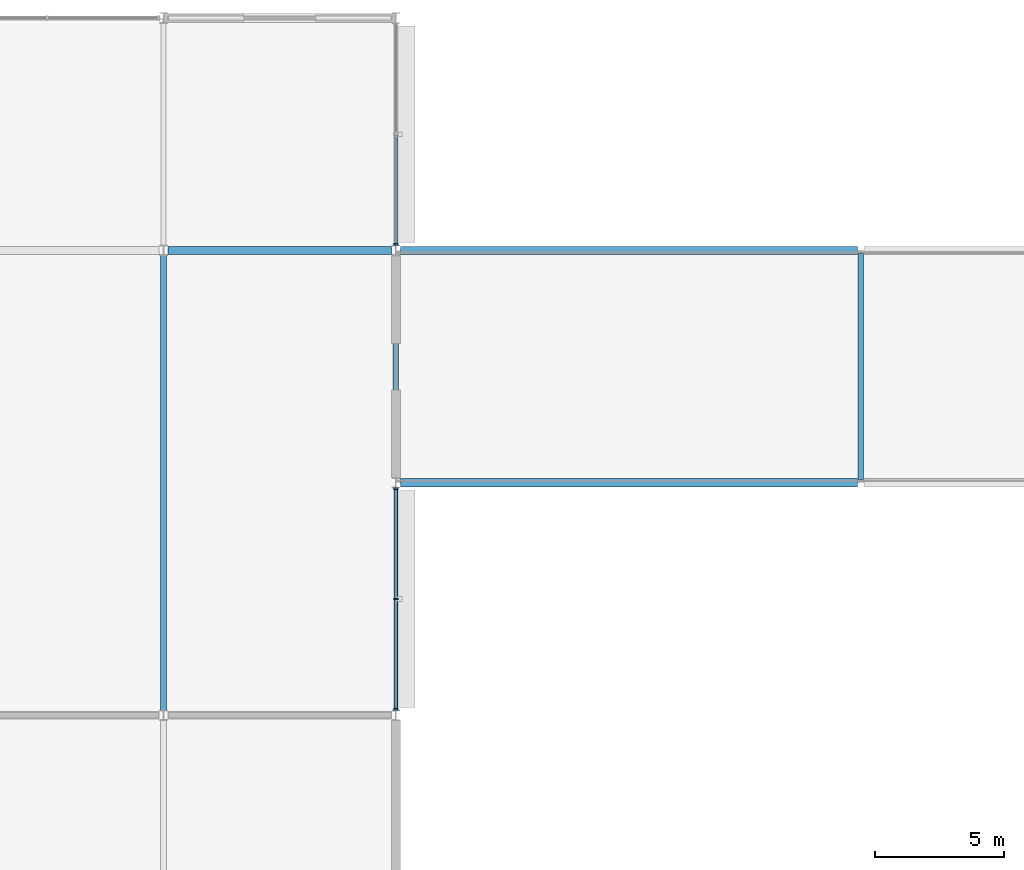
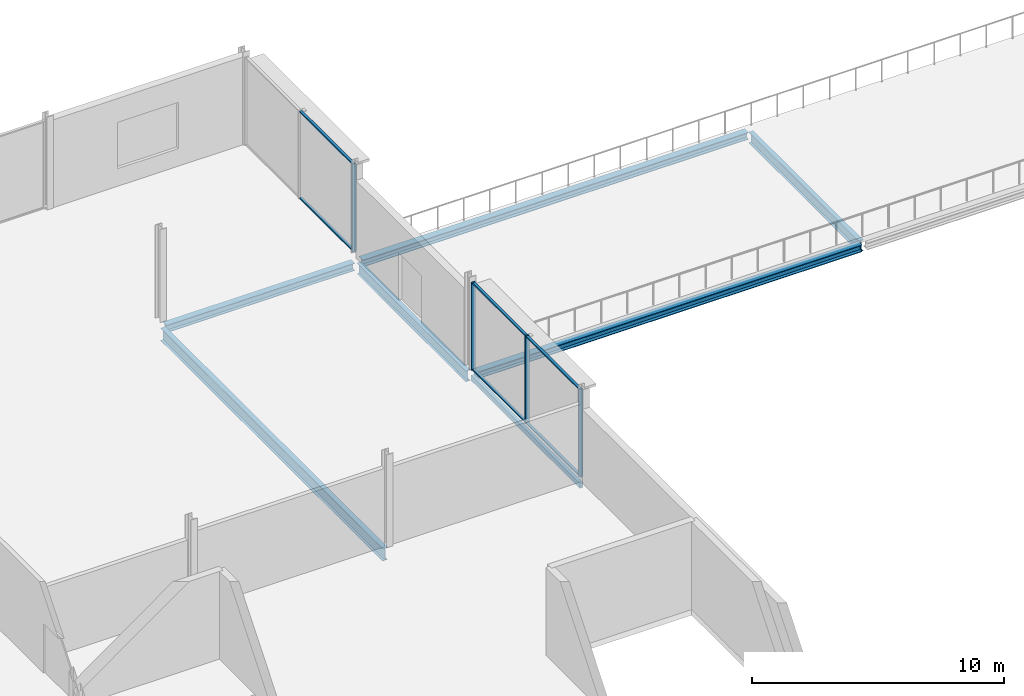
# One storey, part 21 of 73: 10 members, 7 beams, 2 elements without a shape of their own.
"""IFC4 building model written with IfcOpenShell, lengths in metres."""

from ifc_helpers import new_model, si_unit, direction, frame, origin, origin_2d, place, context, subcontext, project, spatial, rectangle, hollow_rectangle, i_section, extrude, material, layer, layer_set, material_profile, profile_set, type_object, element, aggregate, save


model = new_model("IFC4")

# Units and contexts
model_context = context("Model", 3, precision=1e-05, world=origin(), true_north=direction((0.0, 1.0)))
body_context = subcontext(model_context, "Body", "Model", "MODEL_VIEW")
ifc_project = project(units=[si_unit("LENGTHUNIT", "METRE"), si_unit("AREAUNIT", "SQUARE_METRE"), si_unit("VOLUMEUNIT", "CUBIC_METRE"), si_unit("PLANEANGLEUNIT", "RADIAN"), si_unit("MASSUNIT", "GRAM", prefix="KILO")], contexts=[model_context])

# Site, building, storey
site_placement = place(None, origin())
site = spatial("IfcSite", under=ifc_project, at=site_placement, CompositionType="ELEMENT")
building_placement = place(site_placement, origin())
building = spatial("IfcBuilding", under=site, at=building_placement, Name="Kisiwana Market Hall", CompositionType="ELEMENT")
storey_placement = place(building_placement, frame((0.0, 0.0, 33.300048828125)))
storey = spatial("IfcBuildingStorey", under=building, at=storey_placement, Name="L07", CompositionType="ELEMENT", Elevation=33.300048828125)

# Beams
ifc_material_1 = material(Name="Steel S355", Category="steel")
ifc_material_profile_1 = material_profile(ifc_material_1, i_section(OverallWidth=0.300048828125, OverallDepth=0.360107421875, WebThickness=0.012451171875, FlangeThickness=0.0224609375, at=origin_2d()), Name="HEB 360")
ifc_profile_set_1 = profile_set([ifc_material_profile_1], Name="Steel S355")
beam_type_1 = type_object("IfcBeamType", Name="BM-GIRD-HEB360", PredefinedType="BEAM", material=ifc_profile_set_1)
beam_1_placement = place(storey_placement, frame((36.18115234375, 102.0, -0.4599609375), z_axis=(1.0, 0.0, 0.0), x_axis=(0.0, 1.0, 0.0)))
element("IfcBeam", 1, at=beam_1_placement, inside=storey, type_object=beam_type_1, Name="Floor beam B-2010", PredefinedType="BEAM", context=body_context, shape_type="SweptSolid", body=[
    extrude(i_section(OverallWidth=0.300048828125, OverallDepth=0.360107421875, WebThickness=0.012451171875, FlangeThickness=0.0224609375, at=origin_2d()), origin(), (0.0, 0.0, 1.0), 8.6376953125),
])
ifc_material_2 = material(Name="Steel S355", Category="steel")
ifc_material_profile_2 = material_profile(ifc_material_2, i_section(OverallWidth=0.209228515625, OverallDepth=0.533203125, WebThickness=0.010009765625, FlangeThickness=0.015625, at=origin_2d()), Name="UB 533x210x92")
ifc_profile_set_2 = profile_set([ifc_material_profile_2], Name="Steel S355")
beam_type_2 = type_object("IfcBeamType", Name="BM-GIRD-UB533", PredefinedType="BEAM", material=ifc_profile_set_2)
beam_2_placement = place(storey_placement, frame((45.0, 93.177001953125, -0.546630859375), z_axis=(0.0, 1.0, 0.0), x_axis=(-1.0, 0.0, 0.0)))
element("IfcBeam", 2, at=beam_2_placement, inside=storey, type_object=beam_type_2, Name="Primary girder B-1898", PredefinedType="BEAM", context=body_context, shape_type="SweptSolid", body=[
    extrude(i_section(OverallWidth=0.209228515625, OverallDepth=0.533203125, WebThickness=0.010009765625, FlangeThickness=0.015625, at=origin_2d()), origin(), (0.0, 0.0, 1.0), 8.64599609375),
])
beam_3_placement = place(storey_placement, frame((63.0, 93.12109375, -0.524658203125), z_axis=(0.0, 1.0, 0.0), x_axis=(-1.0, 0.0, 0.0)))
element("IfcBeam", 3, at=beam_3_placement, inside=storey, type_object=beam_type_2, Name="Primary girder B-1900", PredefinedType="BEAM", context=body_context, shape_type="SweptSolid", body=[
    extrude(i_section(OverallWidth=0.209228515625, OverallDepth=0.533203125, WebThickness=0.010009765625, FlangeThickness=0.015625, at=origin_2d()), origin(), (0.0, 0.0, 1.0), 8.7578125),
])
ifc_material_3 = material(Name="Steel S355", Category="steel")
ifc_material_profile_3 = material_profile(ifc_material_3, i_section(OverallWidth=0.22900390625, OverallDepth=0.6123046875, WebThickness=0.011962890625, FlangeThickness=0.01953125, at=origin_2d()), Name="UB 610x229x125")
ifc_profile_set_3 = profile_set([ifc_material_profile_3], Name="Steel S355")
beam_type_3 = type_object("IfcBeamType", Name="BM-GIRD-UB610H", PredefinedType="BEAM", material=ifc_profile_set_3)
beam_4_placement = place(storey_placement, frame((36.0, 84.177001953125, -0.586181640625), z_axis=(0.0, 1.0, 0.0), x_axis=(-1.0, 0.0, 0.0)))
element("IfcBeam", 4, at=beam_4_placement, inside=storey, type_object=beam_type_3, Name="Primary girder B-1895", PredefinedType="BEAM", context=body_context, shape_type="SweptSolid", body=[
    extrude(i_section(OverallWidth=0.22900390625, OverallDepth=0.6123046875, WebThickness=0.011962890625, FlangeThickness=0.01953125, at=origin_2d()), origin(), (0.0, 0.0, 1.0), 17.64599609375),
])
ifc_material_4 = material(Name="Steel S355", Category="steel")
ifc_material_profile_4 = material_profile(ifc_material_4, i_section(OverallWidth=0.314453125, OverallDepth=0.33984375, WebThickness=0.01904296875, FlangeThickness=0.031494140625, at=origin_2d()), Name="UC 305x305x198")
ifc_profile_set_4 = profile_set([ifc_material_profile_4], Name="Steel S355")
beam_type_4 = type_object("IfcBeamType", Name="BM-SKYBR-CHORD", PredefinedType="BEAM", material=ifc_profile_set_4)
for number, where, z_axis, x_axis, name in (
    (5, (45.18115234375, 93.0, -0.427978515625), (1.0, 0.0, 0.0), (0.0, 1.0, 0.0), "Floor beam B-2001"),
    (6, (45.18115234375, 102.0, -0.427978515625), (1.0, 0.0, 0.0), (0.0, 1.0, 0.0), "Floor beam B-2011"),
):
    element("IfcBeam", number, at=place(storey_placement, frame(where, z_axis=z_axis, x_axis=x_axis)), inside=storey, type_object=beam_type_4, Name=name, PredefinedType="BEAM", context=body_context, shape_type="SweptSolid", body=[
        extrude(i_section(OverallWidth=0.314453125, OverallDepth=0.33984375, WebThickness=0.01904296875, FlangeThickness=0.031494140625, at=origin_2d()), origin(), (0.0, 0.0, 1.0), 17.69775390625),
    ])
ifc_material_5 = material(Name="Steel S355", Category="steel")
ifc_material_profile_5 = material_profile(ifc_material_5, hollow_rectangle(XDim=0.14990234375, YDim=0.25, WallThickness=0.010009765625, at=origin_2d()), Name="RHS 250x150x10.0")
ifc_profile_set_5 = profile_set([ifc_material_profile_5], Name="Steel S355")
beam_type_5 = type_object("IfcBeamType", Name="BM-SPAN-RHS250", PredefinedType="SPANDREL", material=ifc_profile_set_5)
beam_5_placement = place(storey_placement, frame((45.0, 84.177001953125, -0.405029296875), z_axis=(0.0, 1.0, 0.0), x_axis=(-1.0, 0.0, 0.0)))
element("IfcBeam", 7, at=beam_5_placement, inside=storey, type_object=beam_type_5, Name="Floor beam B-2041", PredefinedType="SPANDREL", context=body_context, shape_type="SweptSolid", body=[
    extrude(hollow_rectangle(XDim=0.14990234375, YDim=0.25, WallThickness=0.010009765625, at=origin_2d()), origin(), (0.0, 0.0, 1.0), 8.64599609375),
])

# Curtain wall, members
ifc_material_6 = material(Name="Double-glazed solar-control low-E IGU", Category="glass")
ifc_layer = layer(ifc_material_6, 0.159912109375)
ifc_layer_set = layer_set([ifc_layer], Name="CW-BRG-L07-8200")
curtain_wall_type = type_object("IfcCurtainWallType", Name="CW-BRG-L07-8200", PredefinedType="USERDEFINED", material=ifc_layer_set)
curtain_wall_1_placement = place(storey_placement, origin())
curtain_wall_1 = element("IfcCurtainWall", 8, at=curtain_wall_1_placement, inside=storey, type_object=curtain_wall_type, Name="Unitised curtain wall CW-230 (L07)", ObjectType="UNITISED CURTAIN WALL", PredefinedType="USERDEFINED")
ifc_material_7 = material(Name="Aluminium alloy 6063-T6", Category="aluminium")
ifc_material_profile_6 = material_profile(ifc_material_7, rectangle(XDim=0.070068359375, YDim=0.179931640625, at=origin_2d()), Name="ALU MULLION 70x180")
ifc_profile_set_6 = profile_set([ifc_material_profile_6], Name="Aluminium alloy 6063-T6")
member_type_1 = type_object("IfcMemberType", Name="CW-MULL-70x180", PredefinedType="MULLION", material=ifc_profile_set_6)
member_1_placement = place(storey_placement, frame((45.0, 84.235107421875, 0.0), z_axis=(0.0, 0.0, 1.0), x_axis=(0.0, 1.0, 0.0)))
member_1 = element("IfcMember", 9, at=member_1_placement, type_object=member_type_1, Name="CW-230 mullion 1", PredefinedType="MULLION", context=body_context, shape_type="SweptSolid", body=[
    extrude(rectangle(XDim=0.070068359375, YDim=0.179931640625, at=origin_2d()), origin(), (0.0, 0.0, 1.0), 4.2548828125),
])
member_2_placement = place(storey_placement, frame((45.0, 88.5, 0.0), z_axis=(0.0, 0.0, 1.0), x_axis=(0.0, 1.0, 0.0)))
member_2 = element("IfcMember", 10, at=member_2_placement, type_object=member_type_1, Name="CW-230 mullion 2", PredefinedType="MULLION", context=body_context, shape_type="SweptSolid", body=[
    extrude(rectangle(XDim=0.070068359375, YDim=0.179931640625, at=origin_2d()), origin(), (0.0, 0.0, 1.0), 4.2548828125),
])
member_3_placement = place(storey_placement, frame((45.0, 92.764892578125, 0.0), z_axis=(0.0, 0.0, 1.0), x_axis=(0.0, 1.0, 0.0)))
member_3 = element("IfcMember", 11, at=member_3_placement, type_object=member_type_1, Name="CW-230 mullion 3", PredefinedType="MULLION", context=body_context, shape_type="SweptSolid", body=[
    extrude(rectangle(XDim=0.070068359375, YDim=0.179931640625, at=origin_2d()), origin(), (0.0, 0.0, 1.0), 4.2548828125),
])

# Curtain wall, member
curtain_wall_2_placement = place(storey_placement, origin())
curtain_wall_2 = element("IfcCurtainWall", 12, at=curtain_wall_2_placement, inside=storey, type_object=curtain_wall_type, Name="Unitised curtain wall CW-231 (L07)", ObjectType="UNITISED CURTAIN WALL", PredefinedType="USERDEFINED")
member_4_placement = place(storey_placement, frame((45.0, 102.235107421875, 0.0), z_axis=(0.0, 0.0, 1.0), x_axis=(0.0, 1.0, 0.0)))
member_4 = element("IfcMember", 13, at=member_4_placement, type_object=member_type_1, Name="CW-231 mullion 1", PredefinedType="MULLION", context=body_context, shape_type="SweptSolid", body=[
    extrude(rectangle(XDim=0.070068359375, YDim=0.179931640625, at=origin_2d()), origin(), (0.0, 0.0, 1.0), 4.2548828125),
])

# Member
ifc_material_8 = material(Name="Aluminium alloy 6063-T6", Category="aluminium")
ifc_material_profile_7 = material_profile(ifc_material_8, rectangle(XDim=0.1201171875, YDim=0.06005859375, at=origin_2d()), Name="ALU TRANSOM 60x120")
ifc_profile_set_7 = profile_set([ifc_material_profile_7], Name="Aluminium alloy 6063-T6")
member_type_2 = type_object("IfcMemberType", Name="CW-TRAN-60x120", PredefinedType="USERDEFINED", material=ifc_profile_set_7)
member_5_placement = place(storey_placement, frame((45.0, 84.27001953125, 0.030029296875), z_axis=(0.0, 1.0, 0.0), x_axis=(-1.0, 0.0, 0.0)))
member_5 = element("IfcMember", 14, at=member_5_placement, type_object=member_type_2, Name="CW-230 transom 1.1", ObjectType="TRANSOM", PredefinedType="USERDEFINED", context=body_context, shape_type="SweptSolid", body=[
    extrude(rectangle(XDim=0.1201171875, YDim=0.06005859375, at=origin_2d()), origin(), (0.0, 0.0, 1.0), 4.195068359375),
])

member_6_placement = place(storey_placement, frame((45.0, 84.27001953125, 4.224853515625), z_axis=(0.0, 1.0, 0.0), x_axis=(-1.0, 0.0, 0.0)))
member_6 = element("IfcMember", 15, at=member_6_placement, type_object=member_type_2, Name="CW-230 transom 1.2", ObjectType="TRANSOM", PredefinedType="USERDEFINED", context=body_context, shape_type="SweptSolid", body=[
    extrude(rectangle(XDim=0.1201171875, YDim=0.06005859375, at=origin_2d()), origin(), (0.0, 0.0, 1.0), 4.195068359375),
])

member_7_placement = place(storey_placement, frame((45.0, 88.534912109375, 0.030029296875), z_axis=(0.0, 1.0, 0.0), x_axis=(-1.0, 0.0, 0.0)))
member_7 = element("IfcMember", 16, at=member_7_placement, type_object=member_type_2, Name="CW-230 transom 2.1", ObjectType="TRANSOM", PredefinedType="USERDEFINED", context=body_context, shape_type="SweptSolid", body=[
    extrude(rectangle(XDim=0.1201171875, YDim=0.06005859375, at=origin_2d()), origin(), (0.0, 0.0, 1.0), 4.195068359375),
])

member_8_placement = place(storey_placement, frame((45.0, 88.534912109375, 4.224853515625), z_axis=(0.0, 1.0, 0.0), x_axis=(-1.0, 0.0, 0.0)))
member_8 = element("IfcMember", 17, at=member_8_placement, type_object=member_type_2, Name="CW-230 transom 2.2", ObjectType="TRANSOM", PredefinedType="USERDEFINED", context=body_context, shape_type="SweptSolid", body=[
    extrude(rectangle(XDim=0.1201171875, YDim=0.06005859375, at=origin_2d()), origin(), (0.0, 0.0, 1.0), 4.195068359375),
])

aggregate(curtain_wall_1, [member_1, member_2, member_3, member_5, member_6, member_7, member_8])

member_9_placement = place(storey_placement, frame((45.0, 102.27001953125, 0.030029296875), z_axis=(0.0, 1.0, 0.0), x_axis=(-1.0, 0.0, 0.0)))
member_9 = element("IfcMember", 18, at=member_9_placement, type_object=member_type_2, Name="CW-231 transom 1.1", ObjectType="TRANSOM", PredefinedType="USERDEFINED", context=body_context, shape_type="SweptSolid", body=[
    extrude(rectangle(XDim=0.1201171875, YDim=0.06005859375, at=origin_2d()), origin(), (0.0, 0.0, 1.0), 4.195068359375),
])

member_10_placement = place(storey_placement, frame((45.0, 102.27001953125, 4.224853515625), z_axis=(0.0, 1.0, 0.0), x_axis=(-1.0, 0.0, 0.0)))
member_10 = element("IfcMember", 19, at=member_10_placement, type_object=member_type_2, Name="CW-231 transom 1.2", ObjectType="TRANSOM", PredefinedType="USERDEFINED", context=body_context, shape_type="SweptSolid", body=[
    extrude(rectangle(XDim=0.1201171875, YDim=0.06005859375, at=origin_2d()), origin(), (0.0, 0.0, 1.0), 4.195068359375),
])

aggregate(curtain_wall_2, [member_4, member_9, member_10])

save(model, "model.ifc")
